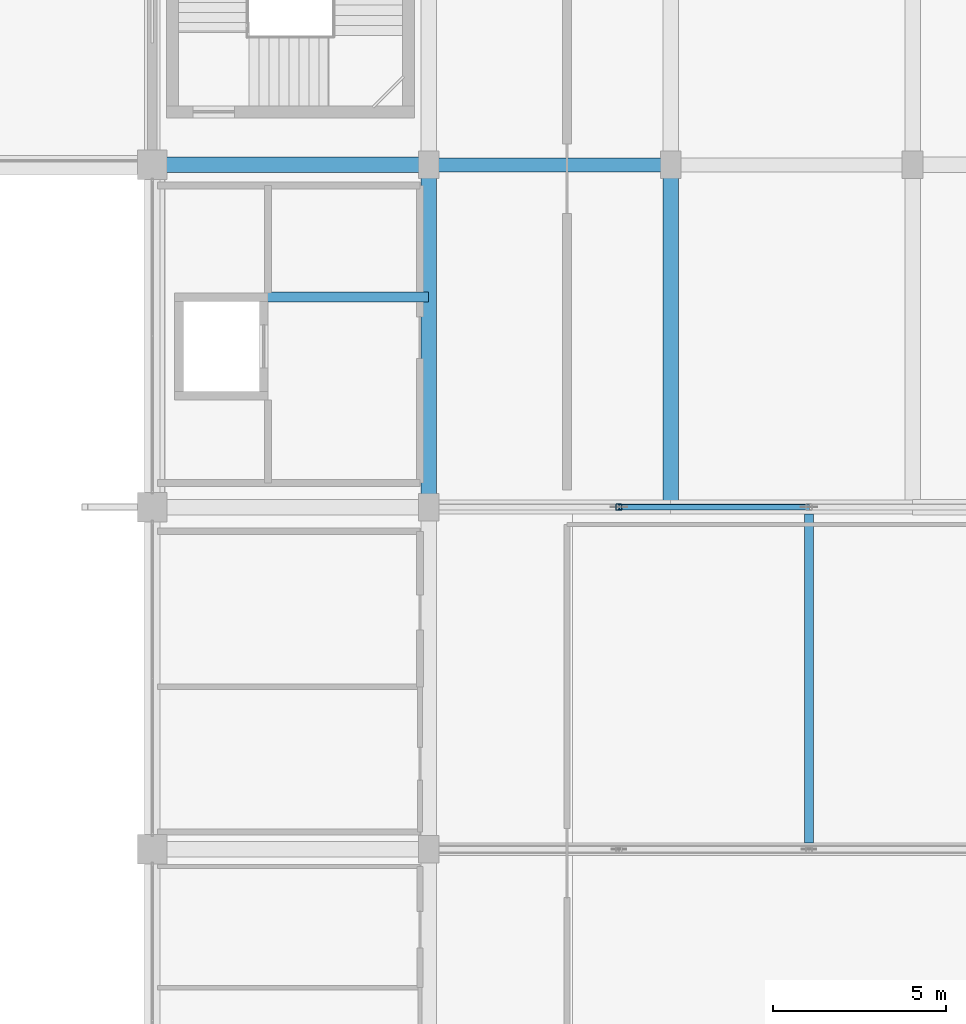
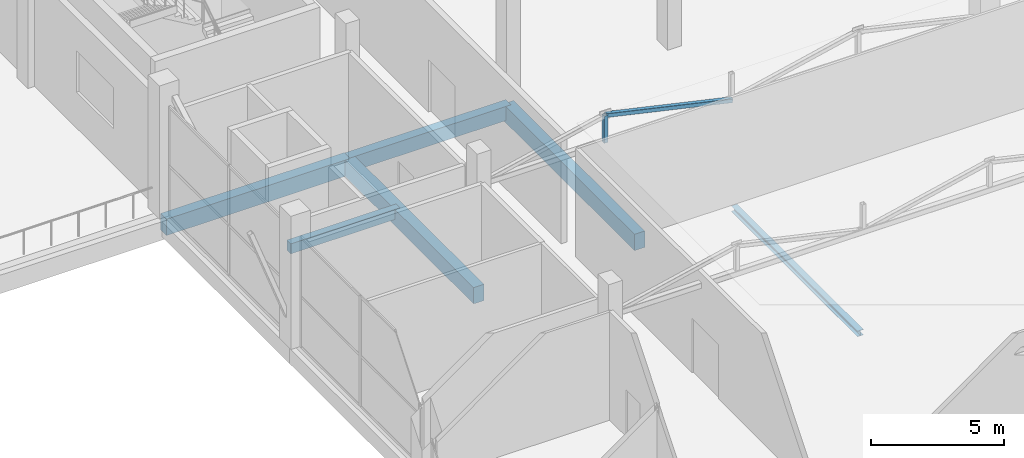
# One storey, part 18 of 46: 6 beams, 2 members.
"""IFC4 building model written with IfcOpenShell, lengths in metres."""

from ifc_helpers import new_model, si_unit, direction, frame, origin, origin_2d, place, context, subcontext, project, spatial, rectangle, hollow_rectangle, i_section, extrude, material, material_profile, profile_set, type_object, element, save


model = new_model("IFC4")

# Units and contexts
model_context = context("Model", 3, precision=1e-05, world=origin(), true_north=direction((0.0, 1.0)))
body_context = subcontext(model_context, "Body", "Model", "MODEL_VIEW")
ifc_project = project(units=[si_unit("LENGTHUNIT", "METRE"), si_unit("AREAUNIT", "SQUARE_METRE"), si_unit("VOLUMEUNIT", "CUBIC_METRE"), si_unit("PLANEANGLEUNIT", "RADIAN"), si_unit("MASSUNIT", "GRAM", prefix="KILO")], contexts=[model_context])

# Site, building, storey
site_placement = place(None, origin())
site = spatial("IfcSite", under=ifc_project, at=site_placement, CompositionType="ELEMENT")
building_placement = place(site_placement, origin())
building = spatial("IfcBuilding", under=site, at=building_placement, Name="Sillaruma Civic Art Gallery", CompositionType="ELEMENT")
storey_placement = place(building_placement, frame((0.0, 0.0, 16.320068359375)))
storey = spatial("IfcBuildingStorey", under=building, at=storey_placement, Name="L03", CompositionType="ELEMENT", Elevation=16.320068359375)

# Beams
ifc_material_1 = material(Name="Concrete H35 (35 MPa)", Category="concrete")
ifc_material_profile_1 = material_profile(ifc_material_1, rectangle(XDim=0.39990234375, YDim=0.64990234375, at=origin_2d()), Name="RCB400x650")
ifc_profile_set_1 = profile_set([ifc_material_profile_1], Name="Concrete H35 (35 MPa)")
beam_type_1 = type_object("IfcBeamType", Name="BM-BEAM-RCB400x650", PredefinedType="BEAM", material=ifc_profile_set_1)
beam_1_placement = place(storey_placement, frame((70.0, 79.199951171875, -0.60498046875), z_axis=(1.0, 0.0, 0.0), x_axis=(0.0, 1.0, 0.0)))
element("IfcBeam", 1, at=beam_1_placement, inside=storey, type_object=beam_type_1, Name="Beam BM-05 (L02:9:G-H)", PredefinedType="BEAM", context=body_context, shape_type="SweptSolid", body=[
    extrude(rectangle(XDim=0.39990234375, YDim=0.64990234375, at=origin_2d()), origin(), (0.0, 0.0, 1.0), 7.0),
])
ifc_material_2 = material(Name="Concrete H40 (40 MPa)", Category="concrete")
ifc_material_profile_2 = material_profile(ifc_material_2, rectangle(XDim=0.449951171875, YDim=0.75, at=origin_2d()), Name="RCB450x750")
ifc_profile_set_2 = profile_set([ifc_material_profile_2], Name="Concrete H40 (40 MPa)")
beam_type_2 = type_object("IfcBeamType", Name="BM-BEAM-RCB450x750", PredefinedType="BEAM", material=ifc_profile_set_2)
beam_2_placement = place(storey_placement, frame((62.0, 79.199951171875, -0.655029296875), z_axis=(1.0, 0.0, 0.0), x_axis=(0.0, 1.0, 0.0)))
element("IfcBeam", 2, at=beam_2_placement, inside=storey, type_object=beam_type_2, Name="Beam BM-03 (L02:9:F-G)", PredefinedType="BEAM", context=body_context, shape_type="SweptSolid", body=[
    extrude(rectangle(XDim=0.449951171875, YDim=0.75, at=origin_2d()), origin(), (0.0, 0.0, 1.0), 8.0),
])
for number, where, z_axis, x_axis, name in (
    (3, (70.0, 69.300048828125, -0.655029296875), (0.0, 1.0, 0.0), (-1.0, 0.0, 0.0), "Beam BM-03 (L02:G:8-9)"),
    (4, (77.0, 69.300048828125, -0.655029296875), (0.0, 1.0, 0.0), (-1.0, 0.0, 0.0), "Beam BM-03 (L02:H:8-9)"),
):
    element("IfcBeam", number, at=place(storey_placement, frame(where, z_axis=z_axis, x_axis=x_axis)), inside=storey, type_object=beam_type_2, Name=name, PredefinedType="BEAM", context=body_context, shape_type="SweptSolid", body=[
        extrude(rectangle(XDim=0.449951171875, YDim=0.75, at=origin_2d()), origin(), (0.0, 0.0, 1.0), 9.89990234375),
    ])
ifc_material_3 = material(Name="Structural Steel ASTM A992 Gr.50", Category="steel")
ifc_material_profile_3 = material_profile(ifc_material_3, i_section(OverallWidth=0.256103515625, OverallDepth=0.260009765625, WebThickness=0.0107421875, FlangeThickness=0.017333984375, FilletRadius=0.012939453125, at=origin_2d()), Name="W250x89")
ifc_profile_set_3 = profile_set([ifc_material_profile_3], Name="Structural Steel ASTM A992 Gr.50")
beam_type_3 = type_object("IfcBeamType", Name="BM-JOIST-W250x89", PredefinedType="JOIST", material=ifc_profile_set_3)
beam_3_placement = place(storey_placement, frame((81.0, 59.58544921875, -0.41015625), z_axis=(0.0, 1.0, 0.0), x_axis=(-1.0, 0.0, 0.0)))
element("IfcBeam", 5, at=beam_3_placement, inside=storey, type_object=beam_type_3, Name="Long-Span Gallery Joist JS-04 (L02:7-8)", PredefinedType="JOIST", context=body_context, shape_type="SweptSolid", body=[
    extrude(i_section(OverallWidth=0.256103515625, OverallDepth=0.260009765625, WebThickness=0.0107421875, FlangeThickness=0.017333984375, FilletRadius=0.012939453125, at=origin_2d()), origin(), (0.0, 0.0, 1.0), 9.5146484375),
])
ifc_material_profile_4 = material_profile(ifc_material_1, rectangle(XDim=0.300048828125, YDim=0.4599609375, at=origin_2d()), Name="RCB300x460")
ifc_profile_set_4 = profile_set([ifc_material_profile_4], Name="Concrete H35 (35 MPa)")
beam_type_4 = type_object("IfcBeamType", Name="BM-LINTEL-RCB300x460", PredefinedType="LINTEL", material=ifc_profile_set_4)
beam_4_placement = place(storey_placement, frame((65.25, 75.3798828125, -0.510009765625), z_axis=(1.0, 0.0, 0.0), x_axis=(0.0, 1.0, 0.0)))
element("IfcBeam", 6, at=beam_4_placement, inside=storey, type_object=beam_type_4, Name="Core Portal Coupling Lintel BL-01 (L02:FFL)", PredefinedType="LINTEL", context=body_context, shape_type="SweptSolid", body=[
    extrude(rectangle(XDim=0.300048828125, YDim=0.4599609375, at=origin_2d()), origin(), (0.0, 0.0, 1.0), 4.75),
])

# Members
ifc_material_4 = material(Name="Structural Steel ASTM A500 Gr.C", Category="steel")
ifc_material_profile_5 = material_profile(ifc_material_4, hollow_rectangle(XDim=0.179931640625, YDim=0.179931640625, WallThickness=0.010009765625, InnerFilletRadius=0.010009765625, OuterFilletRadius=0.02001953125, at=origin_2d()), Name="HSS180x180x10")
ifc_profile_set_5 = profile_set([ifc_material_profile_5], Name="Structural Steel ASTM A500 Gr.C")
member_type_1 = type_object("IfcMemberType", Name="MEM-BRACE-HSS180x180x10", PredefinedType="BRACE", material=ifc_profile_set_5)
member_1_placement = place(storey_placement, frame((75.5, 69.300048828125, 5.673828125), z_axis=(0.975552224414, 0.0, -0.219767735214), x_axis=(0.0, 1.0, 0.0)))
element("IfcMember", 7, at=member_1_placement, inside=storey, type_object=member_type_1, Name="Warren Truss Diagonal TR-L03-3-D2", PredefinedType="BRACE", context=body_context, shape_type="SweptSolid", body=[
    extrude(hollow_rectangle(XDim=0.179931640625, YDim=0.179931640625, WallThickness=0.010009765625, InnerFilletRadius=0.010009765625, OuterFilletRadius=0.02001953125, at=origin_2d()), origin(), (0.0, 0.0, 1.0), 5.637939453125),
])
ifc_material_profile_6 = material_profile(ifc_material_4, hollow_rectangle(XDim=0.179931640625, YDim=0.179931640625, WallThickness=0.010009765625, InnerFilletRadius=0.010009765625, OuterFilletRadius=0.02001953125, at=origin_2d()), Name="HSS180x180x10")
ifc_profile_set_6 = profile_set([ifc_material_profile_6], Name="Structural Steel ASTM A500 Gr.C")
member_type_2 = type_object("IfcMemberType", Name="MEM-POST-HSS180x180x10", PredefinedType="POST", material=ifc_profile_set_6)
member_2_placement = place(storey_placement, frame((75.5, 69.300048828125, 4.434814453125), z_axis=(0.0, 0.0, 1.0), x_axis=(1.0, 0.0, 0.0)))
element("IfcMember", 8, at=member_2_placement, inside=storey, type_object=member_type_2, Name="Warren Truss Vertical Post TR-L03-3-V1", PredefinedType="POST", context=body_context, shape_type="SweptSolid", body=[
    extrude(hollow_rectangle(XDim=0.179931640625, YDim=0.179931640625, WallThickness=0.010009765625, InnerFilletRadius=0.010009765625, OuterFilletRadius=0.02001953125, at=origin_2d()), origin(), (0.0, 0.0, 1.0), 1.239013671875),
])

save(model, "model.ifc")
